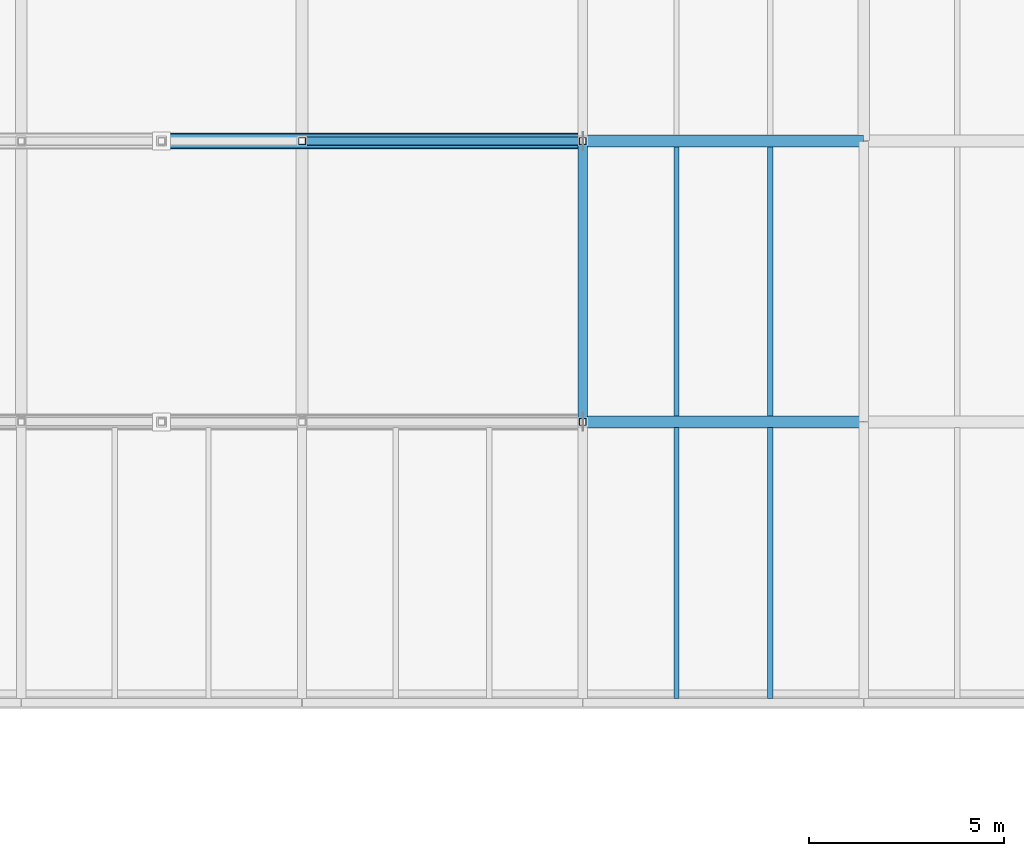
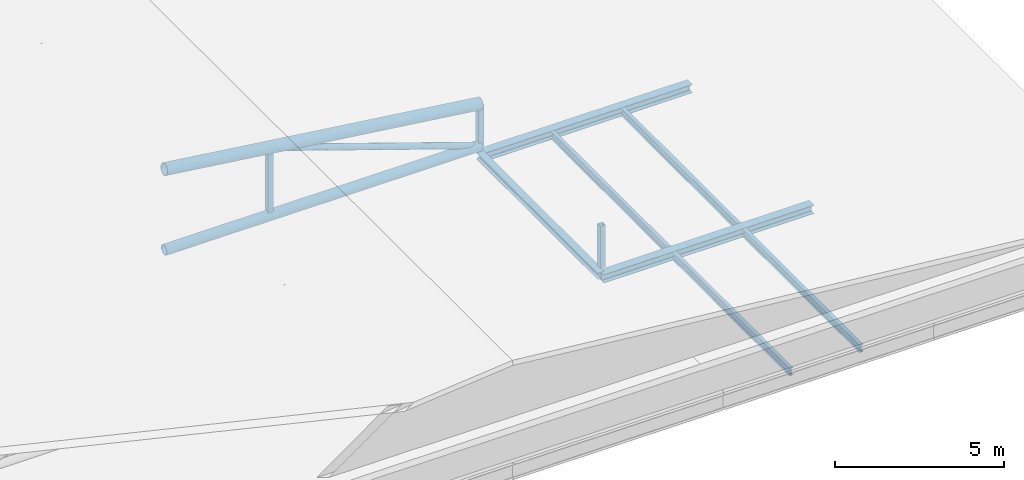
# One storey, part 30 of 91: 7 beams, 6 members.
"""IFC4 building model written with IfcOpenShell, lengths in metres."""

import ifcopenshell
import ifcopenshell.guid

model = None  # the IFC model being written
_history = None  # IfcOwnerHistory: only IFC2X3 demands one
_inside = {}  # id of a spatial element -> (the spatial element, [elements in it])
_under = {}  # id of a project, library or spatial element -> (it, [spatial elements below it])
_declared = {}  # id of a project -> (the project, [libraries it declares])
_typed = {}  # id of a type object -> (the type object, [elements of that type])
_made_of = {}  # id of a material, layer set ... -> (it, [elements and type objects made of it])


def new_model(schema):
    """Start an empty IFC model of exactly this schema.

    Asked for "IFC4X3", IfcOpenShell would pick the latest addendum, in which some entities
    have other attributes; the version numbers below select the first issue.
    IFC2X3 requires an IfcOwnerHistory on every rooted entity: one is made here for all.
    """
    global model, _history
    if schema == "IFC4X3":
        model = ifcopenshell.file(schema_version=(4, 3, 0, 0))
    else:
        model = ifcopenshell.file(schema=schema)
    _inside.clear()
    _under.clear()
    _declared.clear()
    _typed.clear()
    _made_of.clear()
    _history = None
    if model.schema == "IFC2X3":
        org = make("IfcOrganization", Name="unknown")
        user = make(
            "IfcPersonAndOrganization",
            ThePerson=make("IfcPerson", FamilyName="unknown"),
            TheOrganization=org,
        )
        app = make(
            "IfcApplication",
            ApplicationDeveloper=org,
            Version="unknown",
            ApplicationFullName="unknown",
            ApplicationIdentifier="unknown",
        )
        _history = make(
            "IfcOwnerHistory",
            OwningUser=user,
            OwningApplication=app,
            ChangeAction="ADDED",
            CreationDate=0,
        )
    return model


def make(cls, **values):
    """One entity of the class cls with the attributes given. An attribute that is None is left unset."""
    return model.create_entity(
        cls, **{name: value for name, value in values.items() if value is not None}
    )


def rooted(cls, **values):
    """An entity with a GlobalId (a new one), such as an element, a storey or a relation."""
    return make(cls, GlobalId=ifcopenshell.guid.new(), OwnerHistory=_history, **values)


def si_unit(unit_type, name, prefix=None):
    """IfcSIUnit, for example si_unit("LENGTHUNIT", "METRE", prefix="MILLI")."""
    return make("IfcSIUnit", UnitType=unit_type, Prefix=prefix, Name=name)


def assignment(units):
    """IfcUnitAssignment: the units of a project."""
    return None if units is None else make("IfcUnitAssignment", Units=units)


def point(xyz):
    """IfcCartesianPoint."""
    return None if xyz is None else make("IfcCartesianPoint", Coordinates=xyz)


def direction(xyz):
    """IfcDirection."""
    return None if xyz is None else make("IfcDirection", DirectionRatios=xyz)


def frame(location, z_axis=None, x_axis=None):
    """IfcAxis2Placement3D, a coordinate frame: its origin and axes. An axis left out is left unset."""
    return make(
        "IfcAxis2Placement3D",
        Location=point(location),
        Axis=direction(z_axis),
        RefDirection=direction(x_axis),
    )


def frame_2d(location, x_axis=None):
    """IfcAxis2Placement2D, a coordinate frame in the plane: its origin and x axis."""
    return make(
        "IfcAxis2Placement2D", Location=point(location), RefDirection=direction(x_axis)
    )


def origin():
    """The frame at (0, 0, 0) with its axes left unset."""
    return frame((0.0, 0.0, 0.0))


def origin_2d():
    """The frame at (0, 0) in the plane with its x axis left unset."""
    return frame_2d((0.0, 0.0))


def place(relative_to, where):
    """IfcLocalPlacement: puts the frame where relative to a parent placement (None: the world)."""
    return make(
        "IfcLocalPlacement", PlacementRelTo=relative_to, RelativePlacement=where
    )


def context(
    kind, dimensions, precision=None, world=None, true_north=None, identifier=None
):
    """IfcGeometricRepresentationContext, for example the 3D "Model" context."""
    return make(
        "IfcGeometricRepresentationContext",
        ContextIdentifier=identifier,
        ContextType=kind,
        CoordinateSpaceDimension=dimensions,
        Precision=precision,
        WorldCoordinateSystem=world,
        TrueNorth=true_north,
    )


def subcontext(parent, identifier, kind, view, scale=None):
    """IfcGeometricRepresentationSubContext, for example "Body" below "Model"."""
    return make(
        "IfcGeometricRepresentationSubContext",
        ContextIdentifier=identifier,
        ContextType=kind,
        ParentContext=parent,
        TargetScale=scale,
        TargetView=view,
    )


def project(units=None, contexts=None):
    """IfcProject with its units and contexts."""
    return rooted(
        "IfcProject",
        Name="project",
        RepresentationContexts=contexts,
        UnitsInContext=assignment(units),
    )


def spatial(cls, under=None, at=None, **own):
    """A site, building, storey or space (cls), placed at a placement, below another one or the project."""
    s = rooted(cls, ObjectPlacement=at, **own)
    if under is not None:
        _under.setdefault(under.id(), (under, []))[1].append(s)
    return s


def profile(cls, at=None, kind="AREA", **sizes):
    """A parametric profile (cls). Its sizes go by their IFC names, for example OverallWidth=200.0."""
    return make(cls, ProfileType=kind, Position=at, **sizes)


def hollow_rectangle(**sizes):
    """IfcRectangleHollowProfileDef."""
    return profile("IfcRectangleHollowProfileDef", **sizes)


def hollow_circle(**sizes):
    """IfcCircleHollowProfileDef."""
    return profile("IfcCircleHollowProfileDef", **sizes)


def i_section(**sizes):
    """IfcIShapeProfileDef."""
    return profile("IfcIShapeProfileDef", **sizes)


def extrude(swept, where, along, depth):
    """IfcExtrudedAreaSolid: the profile swept, set in the frame where, extruded along a direction by depth."""
    return make(
        "IfcExtrudedAreaSolid",
        SweptArea=swept,
        Position=where,
        ExtrudedDirection=direction(along),
        Depth=depth,
    )


def shape(context_of_items, identifier, shape_type, items):
    """IfcShapeRepresentation: the items that make up one representation, for example the "Body"."""
    return make(
        "IfcShapeRepresentation",
        ContextOfItems=context_of_items,
        RepresentationIdentifier=identifier,
        RepresentationType=shape_type,
        Items=items,
    )


def material(Name=None, Category=None):
    """IfcMaterial."""
    return make("IfcMaterial", Name=Name, Category=Category)


def material_profile(
    of_material, cross_section, Name=None, Category=None, Priority=None
):
    """IfcMaterialProfile: a cross section and its material."""
    return make(
        "IfcMaterialProfile",
        Name=Name,
        Material=of_material,
        Profile=cross_section,
        Priority=Priority,
        Category=Category,
    )


def profile_set(profiles, Name=None, composite=None):
    """IfcMaterialProfileSet."""
    return make(
        "IfcMaterialProfileSet",
        Name=Name,
        MaterialProfiles=profiles,
        CompositeProfile=composite,
    )


def made_of(thing, what):
    """Note that an element or type object is made of a material, layer set ...; save() writes the relation."""
    if what is not None:
        _made_of.setdefault(what.id(), (what, []))[1].append(thing)
    return thing


def type_object(cls, material=None, **own):
    """A type object (cls), such as IfcWallType, which elements share."""
    return made_of(rooted(cls, **own), material)


def element(
    cls,
    number,
    at=None,
    inside=None,
    cuts=None,
    type_object=None,
    material=None,
    context=None,
    identifier="Body",
    shape_type=None,
    held_by="IfcProductDefinitionShape",
    body=None,
    shapes=None,
    **own,
):
    """One element of the class cls, such as IfcWall. Its Tag is "e" and its number.

    at: its placement. inside: the storey or other place that contains it. cuts: it is an
    opening in that element (IfcRelVoidsElement). A single representation is given by context,
    identifier, shape_type and body (its items); several are given by shapes. held_by: the class
    of the entity that holds the representations. save() writes the other relations.
    """
    e = rooted(cls, Tag="e%d" % number, ObjectPlacement=at, **own)
    if body is not None:
        shapes = [shape(context, identifier, shape_type, body)]
    if shapes is not None:
        e.Representation = make(held_by, Representations=shapes)
    if inside is not None:
        _inside.setdefault(inside.id(), (inside, []))[1].append(e)
    if cuts is not None:
        rooted(
            "IfcRelVoidsElement", RelatingBuildingElement=cuts, RelatedOpeningElement=e
        )
    if type_object is not None:
        _typed.setdefault(type_object.id(), (type_object, []))[1].append(e)
    return made_of(e, material)


def aggregate(whole, parts):
    """IfcRelAggregates: a whole, such as a stair, and the parts it consists of."""
    return rooted("IfcRelAggregates", RelatingObject=whole, RelatedObjects=parts)


def save(model, path):
    """Write the relations noted so far, then the file.

    IfcRelAggregates (storeys below a building ...), IfcRelContainedInSpatialStructure (elements
    in a storey), IfcRelDefinesByType, IfcRelAssociatesMaterial and IfcRelDeclares: one each for
    every whole, place, type object, material and project.
    """
    for whole, parts in _under.values():
        aggregate(whole, parts)
    for where, things in _inside.values():
        rooted(
            "IfcRelContainedInSpatialStructure",
            RelatedElements=things,
            RelatingStructure=where,
        )
    for kind, things in _typed.values():
        rooted("IfcRelDefinesByType", RelatedObjects=things, RelatingType=kind)
    for what, things in _made_of.values():
        rooted("IfcRelAssociatesMaterial", RelatedObjects=things, RelatingMaterial=what)
    for by, libraries in _declared.values():
        rooted("IfcRelDeclares", RelatingContext=by, RelatedDefinitions=libraries)
    model.write(path)


model = new_model("IFC4")

# Units and contexts
model_context = context("Model", 3, precision=1e-05, world=origin(), true_north=direction((0.0, 1.0)))
body_context = subcontext(model_context, "Body", "Model", "MODEL_VIEW")
ifc_project = project(units=[si_unit("LENGTHUNIT", "METRE"), si_unit("AREAUNIT", "SQUARE_METRE"), si_unit("VOLUMEUNIT", "CUBIC_METRE"), si_unit("PLANEANGLEUNIT", "RADIAN"), si_unit("MASSUNIT", "GRAM", prefix="KILO")], contexts=[model_context])

# Site, building, storey
site_placement = place(None, origin())
site = spatial("IfcSite", under=ifc_project, at=site_placement, CompositionType="ELEMENT")
building_placement = place(site_placement, origin())
building = spatial("IfcBuilding", under=site, at=building_placement, Name="Narikvali Park Central Library", CompositionType="ELEMENT")
storey_placement = place(building_placement, frame((0.0, 0.0, 14.39990234375)))
storey = spatial("IfcBuildingStorey", under=building, at=storey_placement, Name="L03", CompositionType="ELEMENT", Elevation=14.39990234375)

# Members
ifc_material = material(Name="Steel S355", Category="steel")
ifc_material_profile_1 = material_profile(ifc_material, hollow_circle(Radius=0.109619140625, WallThickness=0.012451171875, at=origin_2d()), Name="CHS 219.1x12.5")
ifc_profile_set_1 = profile_set([ifc_material_profile_1], Name="Steel S355")
member_type_1 = type_object("IfcMemberType", Name="Auditorium End Truss Web CHS219x12", PredefinedType="BRACE", material=ifc_profile_set_1)
member_1_placement = place(storey_placement, frame((151.199951171875, 93.60009765625, -0.02001953125), z_axis=(-0.946684072105, 0.0, 0.322163417573), x_axis=(0.0, -1.0, 0.0)))
element("IfcMember", 1, at=member_1_placement, inside=storey, type_object=member_type_1, Name="Auditorium Truss 2 Web Diagonal 3", PredefinedType="BRACE", context=body_context, shape_type="SweptSolid", body=[
    extrude(hollow_circle(Radius=0.109619140625, WallThickness=0.012451171875, at=origin_2d()), origin(), (0.0, 0.0, 1.0), 7.60546875),
])
ifc_material_profile_2 = material_profile(ifc_material, hollow_circle(Radius=0.203125, WallThickness=0.01611328125, at=origin_2d()), Name="CHS 406.4x16")
ifc_profile_set_2 = profile_set([ifc_material_profile_2], Name="Steel S355")
member_type_2 = type_object("IfcMemberType", Name="Auditorium Top Truss Chord CHS406", PredefinedType="CHORD", material=ifc_profile_set_2)
member_2_placement = place(storey_placement, frame((140.39990234375, 93.60009765625, 2.900146484375), z_axis=(0.991700865878, 0.0, -0.128566685485), x_axis=(0.0, 1.0, 0.0)))
element("IfcMember", 2, at=member_2_placement, inside=storey, type_object=member_type_2, Name="Auditorium Truss 2 Top Chord E", PredefinedType="CHORD", context=body_context, shape_type="SweptSolid", body=[
    extrude(hollow_circle(Radius=0.203125, WallThickness=0.01611328125, at=origin_2d()), origin(), (0.0, 0.0, 1.0), 10.890380859375),
])
ifc_material_profile_3 = material_profile(ifc_material, hollow_circle(Radius=0.177734375, WallThickness=0.01611328125, at=origin_2d()), Name="CHS 355.6x16")
ifc_profile_set_3 = profile_set([ifc_material_profile_3], Name="Steel S355")
member_type_3 = type_object("IfcMemberType", Name="Auditorium Truss Chord CHS355", PredefinedType="CHORD", material=ifc_profile_set_3)
member_3_placement = place(storey_placement, frame((140.39990234375, 93.60009765625, -0.02001953125), z_axis=(1.0, 0.0, 0.0), x_axis=(0.0, 1.0, 0.0)))
element("IfcMember", 3, at=member_3_placement, inside=storey, type_object=member_type_3, Name="Auditorium Truss 2 Bottom Chord E", PredefinedType="CHORD", context=body_context, shape_type="SweptSolid", body=[
    extrude(hollow_circle(Radius=0.177734375, WallThickness=0.01611328125, at=origin_2d()), origin(), (0.0, 0.0, 1.0), 10.800048828125),
])
ifc_material_profile_4 = material_profile(ifc_material, hollow_rectangle(XDim=0.179931640625, YDim=0.179931640625, WallThickness=0.010009765625, at=origin_2d()), Name="SHS 180x180x10")
ifc_profile_set_4 = profile_set([ifc_material_profile_4], Name="Steel S355")
member_type_4 = type_object("IfcMemberType", Name="Auditorium Truss Vertical SHS180", PredefinedType="COLLAR", material=ifc_profile_set_4)
member_4_placement = place(storey_placement, frame((151.199951171875, 86.39990234375, -0.02001953125), z_axis=(0.0, 0.0, 1.0), x_axis=(1.0, 0.0, 0.0)))
element("IfcMember", 4, at=member_4_placement, inside=storey, type_object=member_type_4, Name="Auditorium Truss 1 Vertical 5", PredefinedType="COLLAR", context=body_context, shape_type="SweptSolid", body=[
    extrude(hollow_rectangle(XDim=0.179931640625, YDim=0.179931640625, WallThickness=0.010009765625, at=origin_2d()), origin(), (0.0, 0.0, 1.0), 1.52001953125),
])
member_5_placement = place(storey_placement, frame((144.0, 93.60009765625, -0.02001953125), z_axis=(0.0, 0.0, 1.0), x_axis=(1.0, 0.0, 0.0)))
element("IfcMember", 5, at=member_5_placement, inside=storey, type_object=member_type_4, Name="Auditorium Truss 2 Vertical 4", PredefinedType="COLLAR", context=body_context, shape_type="SweptSolid", body=[
    extrude(hollow_rectangle(XDim=0.179931640625, YDim=0.179931640625, WallThickness=0.010009765625, at=origin_2d()), origin(), (0.0, 0.0, 1.0), 2.4501953125),
])
member_6_placement = place(storey_placement, frame((151.199951171875, 93.60009765625, -0.02001953125), z_axis=(0.0, 0.0, 1.0), x_axis=(1.0, 0.0, 0.0)))
element("IfcMember", 6, at=member_6_placement, inside=storey, type_object=member_type_4, Name="Auditorium Truss 2 Vertical 5", PredefinedType="COLLAR", context=body_context, shape_type="SweptSolid", body=[
    extrude(hollow_rectangle(XDim=0.179931640625, YDim=0.179931640625, WallThickness=0.010009765625, at=origin_2d()), origin(), (0.0, 0.0, 1.0), 1.52001953125),
])

# Beams
ifc_material_profile_5 = material_profile(ifc_material, i_section(OverallWidth=0.135009765625, OverallDepth=0.27001953125, WebThickness=0.006591796875, FlangeThickness=0.01025390625, FilletRadius=0.014892578125, at=origin_2d()), Name="IPE 270")
ifc_profile_set_5 = profile_set([ifc_material_profile_5], Name="Steel S355")
beam_type_1 = type_object("IfcBeamType", Name="Composite Floor Joist IPE270", PredefinedType="JOIST", material=ifc_profile_set_5)
for number, where, z_axis, x_axis, name in (
    (7, (153.60009765625, 79.304931640625, -0.375), (0.0, 1.0, 0.0), (-1.0, 0.0, 0.0), "V3 L03 Composite Joist 1"),
    (8, (156.0, 79.304931640625, -0.375), (0.0, 1.0, 0.0), (-1.0, 0.0, 0.0), "V3 L03 Composite Joist 2"),
):
    element("IfcBeam", number, at=place(storey_placement, frame(where, z_axis=z_axis, x_axis=x_axis)), inside=storey, type_object=beam_type_1, Name=name, PredefinedType="JOIST", context=body_context, shape_type="SweptSolid", body=[
        extrude(i_section(OverallWidth=0.135009765625, OverallDepth=0.27001953125, WebThickness=0.006591796875, FlangeThickness=0.01025390625, FilletRadius=0.014892578125, at=origin_2d()), origin(), (0.0, 0.0, 1.0), 6.945068359375),
    ])
for number, where, z_axis, x_axis, name in (
    (9, (153.60009765625, 86.550048828125, -0.375), (0.0, 1.0, 0.0), (-1.0, 0.0, 0.0), "V3 L03 Composite Joist 1"),
    (10, (156.0, 86.550048828125, -0.375), (0.0, 1.0, 0.0), (-1.0, 0.0, 0.0), "V3 L03 Composite Joist 2"),
):
    element("IfcBeam", number, at=place(storey_placement, frame(where, z_axis=z_axis, x_axis=x_axis)), inside=storey, type_object=beam_type_1, Name=name, PredefinedType="JOIST", context=body_context, shape_type="SweptSolid", body=[
        extrude(i_section(OverallWidth=0.135009765625, OverallDepth=0.27001953125, WebThickness=0.006591796875, FlangeThickness=0.01025390625, FilletRadius=0.014892578125, at=origin_2d()), origin(), (0.0, 0.0, 1.0), 6.89990234375),
    ])
ifc_material_profile_6 = material_profile(ifc_material, i_section(OverallWidth=0.239990234375, OverallDepth=0.22998046875, WebThickness=0.007568359375, FlangeThickness=0.011962890625, FilletRadius=0.02099609375, at=origin_2d()), Name="HEA 240")
ifc_profile_set_6 = profile_set([ifc_material_profile_6], Name="Steel S355")
beam_type_2 = type_object("IfcBeamType", Name="Primary Girder HEA240", PredefinedType="BEAM", material=ifc_profile_set_6)
beam_placement = place(storey_placement, frame((151.199951171875, 86.407958984375, -0.35498046875), z_axis=(0.0, 1.0, 0.0), x_axis=(-1.0, 0.0, 0.0)))
element("IfcBeam", 11, at=beam_placement, inside=storey, type_object=beam_type_2, Name="V3 L03 Girder Y", PredefinedType="BEAM", context=body_context, shape_type="SweptSolid", body=[
    extrude(i_section(OverallWidth=0.239990234375, OverallDepth=0.22998046875, WebThickness=0.007568359375, FlangeThickness=0.011962890625, FilletRadius=0.02099609375, at=origin_2d()), origin(), (0.0, 0.0, 1.0), 7.18408203125),
])
ifc_material_profile_7 = material_profile(ifc_material, i_section(OverallWidth=0.300048828125, OverallDepth=0.31005859375, WebThickness=0.009033203125, FlangeThickness=0.015380859375, FilletRadius=0.027099609375, at=origin_2d()), Name="HEA 320")
ifc_profile_set_7 = profile_set([ifc_material_profile_7], Name="Steel S355")
beam_type_3 = type_object("IfcBeamType", Name="Primary Girder HEA320", PredefinedType="BEAM", material=ifc_profile_set_7)
for number, where, z_axis, x_axis, name in (
    (12, (151.2080078125, 86.39990234375, -0.39501953125), (1.0, 0.0, 0.0), (0.0, 1.0, 0.0), "V3 L03 Girder X"),
    (13, (151.2080078125, 93.60009765625, -0.39501953125), (1.0, 0.0, 0.0), (0.0, 1.0, 0.0), "V3 L03 Girder X"),
):
    element("IfcBeam", number, at=place(storey_placement, frame(where, z_axis=z_axis, x_axis=x_axis)), inside=storey, type_object=beam_type_3, Name=name, PredefinedType="BEAM", context=body_context, shape_type="SweptSolid", body=[
        extrude(i_section(OverallWidth=0.300048828125, OverallDepth=0.31005859375, WebThickness=0.009033203125, FlangeThickness=0.015380859375, FilletRadius=0.027099609375, at=origin_2d()), origin(), (0.0, 0.0, 1.0), 7.18408203125),
    ])

save(model, "model.ifc")
